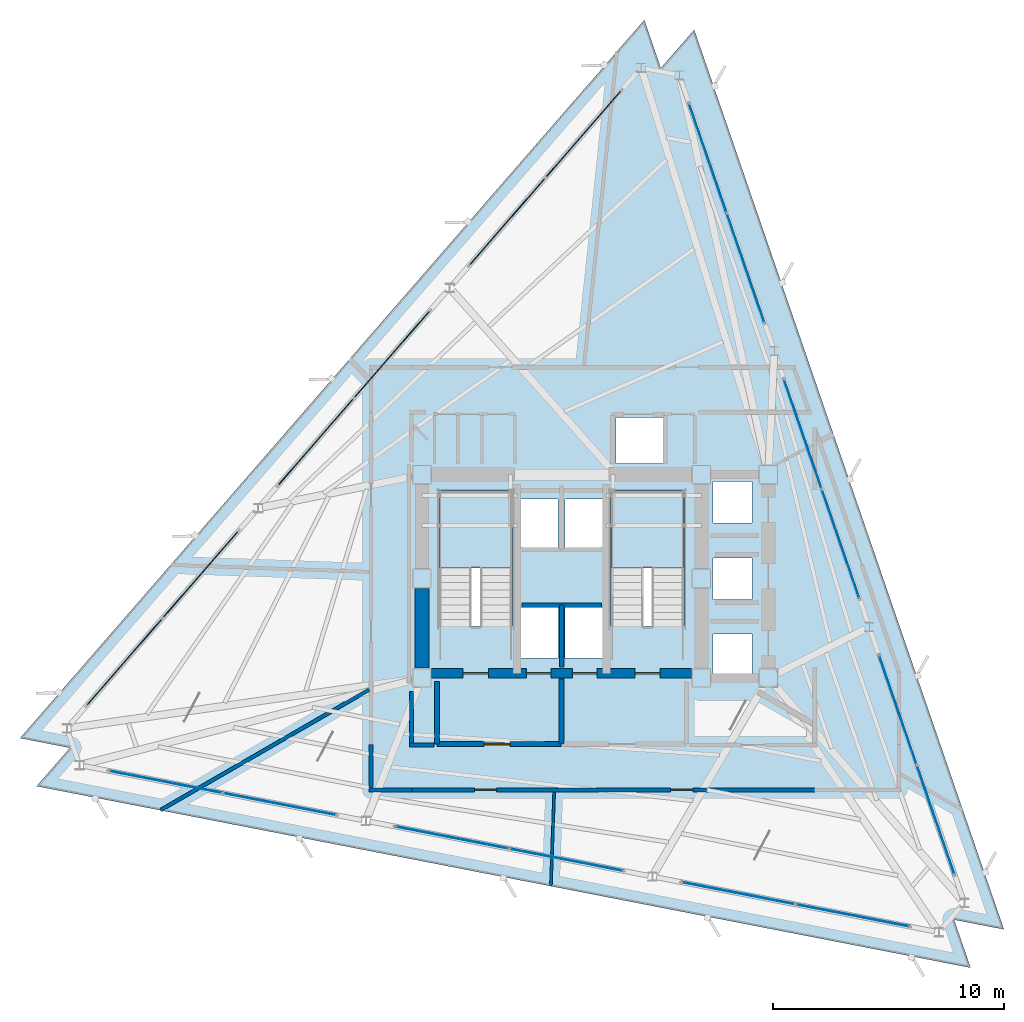
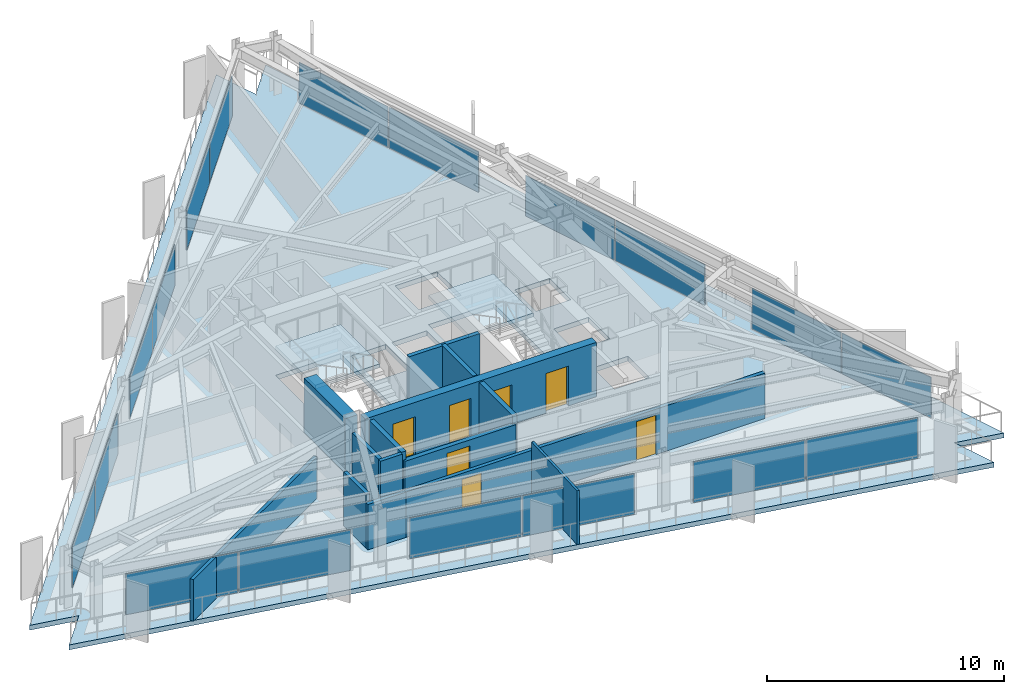
# One storey, part 8 of 13: 18 plates, 14 walls, 7 doors, 3 slabs, 7 openings, 11 elements without a shape of their own.
"""IFC4 building model written with IfcOpenShell, lengths in metres."""

from ifc_helpers import new_model, si_unit, direction, frame, frame_2d, origin, origin_2d, place, context, subcontext, project, spatial, polyline, rectangle, outline, extrude, material, layer, layer_set, type_object, element, fill, aggregate, save


model = new_model("IFC4")

# Units and contexts
model_context = context("Model", 3, precision=1e-05, world=origin(), true_north=direction((0.0, 1.0)))
body_context = subcontext(model_context, "Body", "Model", "MODEL_VIEW")
ifc_project = project(units=[si_unit("LENGTHUNIT", "METRE"), si_unit("AREAUNIT", "SQUARE_METRE"), si_unit("VOLUMEUNIT", "CUBIC_METRE"), si_unit("PLANEANGLEUNIT", "RADIAN"), si_unit("MASSUNIT", "GRAM", prefix="KILO")], contexts=[model_context])

# Site, building, storey
site_placement = place(None, origin())
site = spatial("IfcSite", under=ifc_project, at=site_placement, CompositionType="ELEMENT")
building_placement = place(site_placement, origin())
building = spatial("IfcBuilding", under=site, at=building_placement, Name="Rocaltana Carrier Exchange", CompositionType="ELEMENT")
storey_placement = place(building_placement, frame((0.0, 0.0, 165.43994140625)))
storey = spatial("IfcBuildingStorey", under=building, at=storey_placement, Name="L52", CompositionType="ELEMENT", Elevation=165.43994140625)

# Curtain wall, plates
ifc_material_1 = material(Name="Aluminium 6063-T6", Category="aluminium")
ifc_layer_1 = layer(ifc_material_1, 0.135009765625)
ifc_layer_set_1 = layer_set([ifc_layer_1], Name="Aluminium 6063-T6")
curtain_wall_type = type_object("IfcCurtainWallType", Name="Upper-Mid Acoustic Curtain Wall CW-04", PredefinedType="NOTDEFINED", material=ifc_layer_set_1)
curtain_wall_1_placement = place(storey_placement, origin())
curtain_wall_1 = element("IfcCurtainWall", 1, at=curtain_wall_1_placement, inside=storey, type_object=curtain_wall_type, Name="L52 CW-04 Run CW-L52-F1S1", PredefinedType="NOTDEFINED")
ifc_material_2 = material(Name="Tempered Laminated Glass", Category="glass")
ifc_layer_2 = layer(ifc_material_2, 0.0380859375)
ifc_layer_set_2 = layer_set([ifc_layer_2], Name="Tempered Laminated Glass")
plate_type = type_object("IfcPlateType", Name="CW-04 Stone-Insulated Vision Panel", PredefinedType="CURTAIN_PANEL", material=ifc_layer_set_2)
plate_1_placement = place(storey_placement, frame((16.197021484375, -10.4462890625, 0.065185546875), z_axis=(0.0, 0.0, 1.0), x_axis=(-0.325558788464, 0.945521800517, 0.0)))
plate_1 = element("IfcPlate", 2, at=plate_1_placement, type_object=plate_type, Name="CW-04 panel 1.1", PredefinedType="CURTAIN_PANEL", context=body_context, shape_type="SweptSolid", body=[
    extrude(rectangle(XDim=4.96923828125, YDim=0.0380859375, at=origin_2d()), origin(), (0.0, 0.0, 1.0), 2.087890625),
])
plate_2_placement = place(storey_placement, frame((14.55810546875, -5.686279296875, 0.065185546875), z_axis=(0.0, 0.0, 1.0), x_axis=(-0.325558788464, 0.945521800517, 0.0)))
plate_2 = element("IfcPlate", 3, at=plate_2_placement, type_object=plate_type, Name="CW-04 panel 2.1", PredefinedType="CURTAIN_PANEL", context=body_context, shape_type="SweptSolid", body=[
    extrude(rectangle(XDim=4.96923828125, YDim=0.0380859375, at=origin_2d()), origin(), (0.0, 0.0, 1.0), 2.087890625),
])
aggregate(curtain_wall_1, [plate_1, plate_2])

curtain_wall_2_placement = place(storey_placement, origin())
curtain_wall_2 = element("IfcCurtainWall", 4, at=curtain_wall_2_placement, inside=storey, type_object=curtain_wall_type, Name="L52 CW-04 Run CW-L52-F1S2", PredefinedType="NOTDEFINED")
plate_3_placement = place(storey_placement, frame((12.083984375, 1.498779296875, 0.065185546875), z_axis=(0.0, 0.0, 1.0), x_axis=(-0.32556182622, 0.945520754562, 0.0)))
plate_3 = element("IfcPlate", 5, at=plate_3_placement, type_object=plate_type, Name="CW-04 panel 1.1", PredefinedType="CURTAIN_PANEL", context=body_context, shape_type="SweptSolid", body=[
    extrude(rectangle(XDim=4.96923828125, YDim=0.0380859375, at=origin_2d()), origin(), (0.0, 0.0, 1.0), 2.087890625),
])
plate_4_placement = place(storey_placement, frame((10.445068359375, 6.258544921875, 0.065185546875), z_axis=(0.0, 0.0, 1.0), x_axis=(-0.32556182622, 0.945520754562, 0.0)))
plate_4 = element("IfcPlate", 6, at=plate_4_placement, type_object=plate_type, Name="CW-04 panel 2.1", PredefinedType="CURTAIN_PANEL", context=body_context, shape_type="SweptSolid", body=[
    extrude(rectangle(XDim=4.96923828125, YDim=0.0380859375, at=origin_2d()), origin(), (0.0, 0.0, 1.0), 2.087890625),
])
aggregate(curtain_wall_2, [plate_3, plate_4])

curtain_wall_3_placement = place(storey_placement, origin())
curtain_wall_3 = element("IfcCurtainWall", 7, at=curtain_wall_3_placement, inside=storey, type_object=curtain_wall_type, Name="L52 CW-04 Run CW-L52-F1S3", PredefinedType="NOTDEFINED")
plate_5_placement = place(storey_placement, frame((7.970947265625, 13.44384765625, 0.065185546875), z_axis=(0.0, 0.0, 1.0), x_axis=(-0.325558788464, 0.945521800517, 0.0)))
plate_5 = element("IfcPlate", 8, at=plate_5_placement, type_object=plate_type, Name="CW-04 panel 1.1", PredefinedType="CURTAIN_PANEL", context=body_context, shape_type="SweptSolid", body=[
    extrude(rectangle(XDim=4.96923828125, YDim=0.0380859375, at=origin_2d()), origin(), (0.0, 0.0, 1.0), 2.087890625),
])
plate_6_placement = place(storey_placement, frame((6.33203125, 18.20361328125, 0.065185546875), z_axis=(0.0, 0.0, 1.0), x_axis=(-0.325558788464, 0.945521800517, 0.0)))
plate_6 = element("IfcPlate", 9, at=plate_6_placement, type_object=plate_type, Name="CW-04 panel 2.1", PredefinedType="CURTAIN_PANEL", context=body_context, shape_type="SweptSolid", body=[
    extrude(rectangle(XDim=4.96923828125, YDim=0.0380859375, at=origin_2d()), origin(), (0.0, 0.0, 1.0), 2.087890625),
])
aggregate(curtain_wall_3, [plate_5, plate_6])

curtain_wall_4_placement = place(storey_placement, origin())
curtain_wall_4 = element("IfcCurtainWall", 10, at=curtain_wall_4_placement, inside=storey, type_object=curtain_wall_type, Name="L52 CW-04 Run CW-L52-F2S1", PredefinedType="NOTDEFINED")
plate_7_placement = place(storey_placement, frame((0.9482421875, 19.250244140625, 0.065185546875), z_axis=(0.0, 0.0, 1.0), x_axis=(-0.656056545375, -0.75471173919, 0.0)))
plate_7 = element("IfcPlate", 11, at=plate_7_placement, type_object=plate_type, Name="CW-04 panel 1.1", PredefinedType="CURTAIN_PANEL", context=body_context, shape_type="SweptSolid", body=[
    extrude(rectangle(XDim=4.96923828125, YDim=0.0380859375, at=origin_2d()), origin(), (0.0, 0.0, 1.0), 2.087890625),
])
plate_8_placement = place(storey_placement, frame((-2.3544921875, 15.450927734375, 0.065185546875), z_axis=(0.0, 0.0, 1.0), x_axis=(-0.656056545375, -0.75471173919, 0.0)))
plate_8 = element("IfcPlate", 12, at=plate_8_placement, type_object=plate_type, Name="CW-04 panel 2.1", PredefinedType="CURTAIN_PANEL", context=body_context, shape_type="SweptSolid", body=[
    extrude(rectangle(XDim=4.96923828125, YDim=0.0380859375, at=origin_2d()), origin(), (0.0, 0.0, 1.0), 2.087890625),
])
aggregate(curtain_wall_4, [plate_7, plate_8])

curtain_wall_5_placement = place(storey_placement, origin())
curtain_wall_5 = element("IfcCurtainWall", 13, at=curtain_wall_5_placement, inside=storey, type_object=curtain_wall_type, Name="L52 CW-04 Run CW-L52-F2S2", PredefinedType="NOTDEFINED")
plate_9_placement = place(storey_placement, frame((-7.33984375, 9.7158203125, 0.065185546875), z_axis=(0.0, 0.0, 1.0), x_axis=(-0.656056545375, -0.75471173919, 0.0)))
plate_9 = element("IfcPlate", 14, at=plate_9_placement, type_object=plate_type, Name="CW-04 panel 1.1", PredefinedType="CURTAIN_PANEL", context=body_context, shape_type="SweptSolid", body=[
    extrude(rectangle(XDim=4.96923828125, YDim=0.0380859375, at=origin_2d()), origin(), (0.0, 0.0, 1.0), 2.087890625),
])
plate_10_placement = place(storey_placement, frame((-10.642578125, 5.91650390625, 0.065185546875), z_axis=(0.0, 0.0, 1.0), x_axis=(-0.656056545375, -0.75471173919, 0.0)))
plate_10 = element("IfcPlate", 15, at=plate_10_placement, type_object=plate_type, Name="CW-04 panel 2.1", PredefinedType="CURTAIN_PANEL", context=body_context, shape_type="SweptSolid", body=[
    extrude(rectangle(XDim=4.96923828125, YDim=0.0380859375, at=origin_2d()), origin(), (0.0, 0.0, 1.0), 2.087890625),
])
aggregate(curtain_wall_5, [plate_9, plate_10])

curtain_wall_6_placement = place(storey_placement, origin())
curtain_wall_6 = element("IfcCurtainWall", 16, at=curtain_wall_6_placement, inside=storey, type_object=curtain_wall_type, Name="L52 CW-04 Run CW-L52-F2S3", PredefinedType="NOTDEFINED")
plate_11_placement = place(storey_placement, frame((-15.628173828125, 0.18115234375, 0.065185546875), z_axis=(0.0, 0.0, 1.0), x_axis=(-0.656056545375, -0.75471173919, 0.0)))
plate_11 = element("IfcPlate", 17, at=plate_11_placement, type_object=plate_type, Name="CW-04 panel 1.1", PredefinedType="CURTAIN_PANEL", context=body_context, shape_type="SweptSolid", body=[
    extrude(rectangle(XDim=4.96923828125, YDim=0.0380859375, at=origin_2d()), origin(), (0.0, 0.0, 1.0), 2.087890625),
])
plate_12_placement = place(storey_placement, frame((-18.930908203125, -3.6181640625, 0.065185546875), z_axis=(0.0, 0.0, 1.0), x_axis=(-0.656056545375, -0.75471173919, 0.0)))
plate_12 = element("IfcPlate", 18, at=plate_12_placement, type_object=plate_type, Name="CW-04 panel 2.1", PredefinedType="CURTAIN_PANEL", context=body_context, shape_type="SweptSolid", body=[
    extrude(rectangle(XDim=4.96923828125, YDim=0.0380859375, at=origin_2d()), origin(), (0.0, 0.0, 1.0), 2.087890625),
])
aggregate(curtain_wall_6, [plate_11, plate_12])

curtain_wall_7_placement = place(storey_placement, origin())
curtain_wall_7 = element("IfcCurtainWall", 19, at=curtain_wall_7_placement, inside=storey, type_object=curtain_wall_type, Name="L52 CW-04 Run CW-L52-F3S1", PredefinedType="NOTDEFINED")
plate_13_placement = place(storey_placement, frame((-17.145263671875, -8.803955078125, 0.065185546875), z_axis=(0.0, 0.0, 1.0), x_axis=(0.981628278569, -0.190803361378, 0.0)))
plate_13 = element("IfcPlate", 20, at=plate_13_placement, type_object=plate_type, Name="CW-04 panel 1.1", PredefinedType="CURTAIN_PANEL", context=body_context, shape_type="SweptSolid", body=[
    extrude(rectangle(XDim=4.96923828125, YDim=0.0380859375, at=origin_2d()), origin(), (0.0, 0.0, 1.0), 2.087890625),
])
plate_14_placement = place(storey_placement, frame((-12.20361328125, -9.764404296875, 0.065185546875), z_axis=(0.0, 0.0, 1.0), x_axis=(0.981628278569, -0.190803361378, 0.0)))
plate_14 = element("IfcPlate", 21, at=plate_14_placement, type_object=plate_type, Name="CW-04 panel 2.1", PredefinedType="CURTAIN_PANEL", context=body_context, shape_type="SweptSolid", body=[
    extrude(rectangle(XDim=4.96923828125, YDim=0.0380859375, at=origin_2d()), origin(), (0.0, 0.0, 1.0), 2.087890625),
])
aggregate(curtain_wall_7, [plate_13, plate_14])

curtain_wall_8_placement = place(storey_placement, origin())
curtain_wall_8 = element("IfcCurtainWall", 22, at=curtain_wall_8_placement, inside=storey, type_object=curtain_wall_type, Name="L52 CW-04 Run CW-L52-F3S2", PredefinedType="NOTDEFINED")
plate_15_placement = place(storey_placement, frame((-4.744140625, -11.21435546875, 0.065185546875), z_axis=(0.0, 0.0, 1.0), x_axis=(0.981626070913, -0.190814718784, 0.0)))
plate_15 = element("IfcPlate", 23, at=plate_15_placement, type_object=plate_type, Name="CW-04 panel 1.1", PredefinedType="CURTAIN_PANEL", context=body_context, shape_type="SweptSolid", body=[
    extrude(rectangle(XDim=4.96923828125, YDim=0.0380859375, at=origin_2d()), origin(), (0.0, 0.0, 1.0), 2.087890625),
])
plate_16_placement = place(storey_placement, frame((0.19775390625, -12.175048828125, 0.065185546875), z_axis=(0.0, 0.0, 1.0), x_axis=(0.981626070913, -0.190814718784, 0.0)))
plate_16 = element("IfcPlate", 24, at=plate_16_placement, type_object=plate_type, Name="CW-04 panel 2.1", PredefinedType="CURTAIN_PANEL", context=body_context, shape_type="SweptSolid", body=[
    extrude(rectangle(XDim=4.96923828125, YDim=0.0380859375, at=origin_2d()), origin(), (0.0, 0.0, 1.0), 2.087890625),
])
aggregate(curtain_wall_8, [plate_15, plate_16])

curtain_wall_9_placement = place(storey_placement, origin())
curtain_wall_9 = element("IfcCurtainWall", 25, at=curtain_wall_9_placement, inside=storey, type_object=curtain_wall_type, Name="L52 CW-04 Run CW-L52-F3S3", PredefinedType="NOTDEFINED")
plate_17_placement = place(storey_placement, frame((7.6572265625, -13.625, 0.065185546875), z_axis=(0.0, 0.0, 1.0), x_axis=(0.981627919301, -0.190805209699, 0.0)))
plate_17 = element("IfcPlate", 26, at=plate_17_placement, type_object=plate_type, Name="CW-04 panel 1.1", PredefinedType="CURTAIN_PANEL", context=body_context, shape_type="SweptSolid", body=[
    extrude(rectangle(XDim=4.96923828125, YDim=0.0380859375, at=origin_2d()), origin(), (0.0, 0.0, 1.0), 2.087890625),
])
plate_18_placement = place(storey_placement, frame((12.598876953125, -14.58544921875, 0.065185546875), z_axis=(0.0, 0.0, 1.0), x_axis=(0.981627919301, -0.190805209699, 0.0)))
plate_18 = element("IfcPlate", 27, at=plate_18_placement, type_object=plate_type, Name="CW-04 panel 2.1", PredefinedType="CURTAIN_PANEL", context=body_context, shape_type="SweptSolid", body=[
    extrude(rectangle(XDim=4.96923828125, YDim=0.0380859375, at=origin_2d()), origin(), (0.0, 0.0, 1.0), 2.087890625),
])
aggregate(curtain_wall_9, [plate_17, plate_18])

# Slab
ifc_material_3 = material(Name="Concrete C50/60", Category="concrete")
ifc_layer_3 = layer(ifc_material_3, 0.25)
ifc_layer_set_3 = layer_set([ifc_layer_3], Name="Concrete C50/60")
slab_type_1 = type_object("IfcSlabType", Name="Mid-Zone Tower Slab 250", PredefinedType="FLOOR", material=ifc_layer_set_3)
slab_1_placement = place(storey_placement, frame((0.0, 0.0, -0.25)))
element("IfcSlab", 28, at=slab_1_placement, inside=storey, type_object=slab_type_1, Name="L52 Structural Floor Slab", PredefinedType="FLOOR", context=body_context, shape_type="SweptSolid", body=[
    extrude(outline(polyline([(17.709716796875, -16.852294921875), (16.993408203125, -14.772216796875), (19.153076171875, -15.19189453125), (5.73974609375, 23.76318359375), (4.29638671875, 22.10302734375), (3.580078125, 24.18310546875), (-23.449462890625, -6.910888671875), (-21.289794921875, -7.330810546875), (-22.7333984375, -8.9912109375), (17.709716796875, -16.852294921875)]), holes=[polyline([(-5.300048828125, -2.06005859375), (-2.139892578125, -2.06005859375), (-2.139892578125, 3.800048828125), (-5.300048828125, 3.800048828125), (-5.300048828125, -2.06005859375)]), polyline([(2.139892578125, -2.06005859375), (5.300048828125, -2.06005859375), (5.300048828125, 3.800048828125), (2.139892578125, 3.800048828125), (2.139892578125, -2.06005859375)]), polyline([(-1.85009765625, -3.449951171875), (-0.14990234375, -3.449951171875), (-0.14990234375, -1.25), (-1.85009765625, -1.25), (-1.85009765625, -3.449951171875)]), polyline([(0.14990234375, -3.449951171875), (1.85009765625, -3.449951171875), (1.85009765625, -1.25), (0.14990234375, -1.25), (0.14990234375, -3.449951171875)]), polyline([(2.35009765625, 4.97998046875), (4.39990234375, 4.97998046875), (4.39990234375, 6.97998046875), (2.35009765625, 6.97998046875), (2.35009765625, 4.97998046875)]), polyline([(-1.85009765625, 1.35009765625), (-0.14990234375, 1.35009765625), (-0.14990234375, 3.449951171875), (-1.85009765625, 3.449951171875), (-1.85009765625, 1.35009765625)]), polyline([(0.14990234375, 1.35009765625), (1.85009765625, 1.35009765625), (1.85009765625, 3.449951171875), (0.14990234375, 3.449951171875), (0.14990234375, 1.35009765625)]), polyline([(6.550048828125, -4.199951171875), (8.25, -4.199951171875), (8.25, -2.39990234375), (6.550048828125, -2.39990234375), (6.550048828125, -4.199951171875)]), polyline([(6.550048828125, -0.89990234375), (8.25, -0.89990234375), (8.25, 0.89990234375), (6.550048828125, 0.89990234375), (6.550048828125, -0.89990234375)]), polyline([(6.550048828125, 2.39990234375), (8.25, 2.39990234375), (8.25, 4.199951171875), (6.550048828125, 4.199951171875), (6.550048828125, 2.39990234375)])]), origin(), (0.0, 0.0, 1.0), 0.25),
])

# Stair, slab
ifc_material_4 = material(Name="Precast concrete C45/55", Category="concrete")
stair_type = type_object("IfcStairType", Name="Standard Dog-Leg Stair 160", PredefinedType="HALF_TURN_STAIR", material=ifc_material_4)
stair_1_placement = place(storey_placement, origin())
stair_1 = element("IfcStair", 29, at=stair_1_placement, inside=storey, type_object=stair_type, Name="L52 Core West Exit Stair ST-1", PredefinedType="HALF_TURN_STAIR")
ifc_material_5 = material(Name="Precast concrete C45/55", Category="concrete")
ifc_layer_4 = layer(ifc_material_5, 0.199951171875)
ifc_layer_set_4 = layer_set([ifc_layer_4], Name="Precast concrete C45/55")
slab_type_2 = type_object("IfcSlabType", Name="Precast Stair Half-Landing 200", PredefinedType="LANDING", material=ifc_layer_set_4)
slab_2_placement = place(storey_placement, frame((0.0, 0.0, 1.320068359375)))
slab_2 = element("IfcSlab", 30, at=slab_2_placement, type_object=slab_type_2, Name="ST-1 landing 1", PredefinedType="LANDING", context=body_context, shape_type="SweptSolid", body=[
    extrude(outline(polyline([(-2.139892578125, 0.4599609375), (-2.139892578125, 3.800048828125), (-5.300048828125, 3.800048828125), (-5.300048828125, 0.4599609375), (-2.139892578125, 0.4599609375)])), origin(), (0.0, 0.0, 1.0), 0.199951171875),
])
aggregate(stair_1, [slab_2])

stair_2_placement = place(storey_placement, origin())
stair_2 = element("IfcStair", 31, at=stair_2_placement, inside=storey, type_object=stair_type, Name="L52 Core East Exit Stair ST-2", PredefinedType="HALF_TURN_STAIR")
slab_3_placement = place(storey_placement, frame((0.0, 0.0, 1.320068359375)))
slab_3 = element("IfcSlab", 32, at=slab_3_placement, type_object=slab_type_2, Name="ST-2 landing 1", PredefinedType="LANDING", context=body_context, shape_type="SweptSolid", body=[
    extrude(outline(polyline([(5.300048828125, 0.4599609375), (5.300048828125, 3.800048828125), (2.139892578125, 3.800048828125), (2.139892578125, 0.4599609375), (5.300048828125, 0.4599609375)])), origin(), (0.0, 0.0, 1.0), 0.199951171875),
])
aggregate(stair_2, [slab_3])

# Wall
ifc_material_6 = material(Name="Double Acoustic Gypsum Partition", Category="gypsum")
ifc_layer_5 = layer(ifc_material_6, 0.159912109375)
ifc_layer_set_5 = layer_set([ifc_layer_5], Name="Double Acoustic Gypsum Partition")
wall_type_1 = type_object("IfcWallType", Name="Acoustic Studio Partition 160 EI60", PredefinedType="PARTITIONING", material=ifc_layer_set_5)
wall_1_placement = place(storey_placement, frame((-8.330078125, -4.809326171875, 0.0), z_axis=(0.0, 0.0, 1.0), x_axis=(-0.866024997974, -0.500000702884, 0.0)))
element("IfcWall", 33, at=wall_1_placement, inside=storey, type_object=wall_type_1, Name="L52 Suite Divider Wall D1", PredefinedType="PARTITIONING", context=body_context, shape_type="SweptSolid", body=[
    extrude(rectangle(XDim=10.4306640625, YDim=0.159912109375, at=frame_2d((5.21533203125, 0.0))), origin(), (0.0, 0.0, 1.0), 2.132080078125),
])

# Wall, openings, doors
ifc_material_7 = material(Name="Concrete C50/60", Category="concrete")
ifc_layer_6 = layer(ifc_material_7, 0.39990234375)
ifc_layer_set_6 = layer_set([ifc_layer_6], Name="Concrete C50/60")
wall_type_2 = type_object("IfcWallType", Name="Core Internal Shear Wall 400", PredefinedType="SHEAR", material=ifc_layer_set_6)
wall_2_placement = place(storey_placement, frame((-5.625, -4.10009765625, 0.0), z_axis=(0.0, 0.0, 1.0), x_axis=(1.0, 0.0, 0.0)))
wall_2 = element("IfcWall", 34, at=wall_2_placement, inside=storey, type_object=wall_type_2, Name="L52 Core Shear Wall CW-S", PredefinedType="SHEAR", context=body_context, shape_type="SweptSolid", body=[
    extrude(rectangle(XDim=11.25, YDim=0.39990234375, at=frame_2d((5.625, 0.0))), origin(), (0.0, 0.0, 1.0), 2.7880859375),
])
opening_1_placement = place(wall_2_placement, frame((1.35498046875, 0.0, 0.0)))
opening_1 = element("IfcOpeningElement", 35, at=opening_1_placement, cuts=wall_2, Name="Opening D-ST110", PredefinedType="OPENING", context=body_context, shape_type="SweptSolid", body=[
    extrude(rectangle(XDim=1.10009765625, YDim=2.0400390625, at=frame_2d((0.550048828125, 1.02001953125))), frame((0.0, 0.2099609375, 0.0), z_axis=(0.0, -1.0, 0.0), x_axis=(1.0, 0.0, 0.0)), (0.0, 0.0, 1.0), 0.419921875),
])
opening_2_placement = place(wall_2_placement, frame((8.794921875, 0.0, 0.0)))
opening_2 = element("IfcOpeningElement", 36, at=opening_2_placement, cuts=wall_2, Name="Opening D-ST110", PredefinedType="OPENING", context=body_context, shape_type="SweptSolid", body=[
    extrude(rectangle(XDim=1.10009765625, YDim=2.0400390625, at=frame_2d((0.550048828125, 1.02001953125))), frame((0.0, 0.2099609375, 0.0), z_axis=(0.0, -1.0, 0.0), x_axis=(1.0, 0.0, 0.0)), (0.0, 0.0, 1.0), 0.419921875),
])
opening_3_placement = place(wall_2_placement, frame((4.094970703125, 0.0, 0.0)))
opening_3 = element("IfcOpeningElement", 37, at=opening_3_placement, cuts=wall_2, Name="Opening LD-110", PredefinedType="OPENING", context=body_context, shape_type="SweptSolid", body=[
    extrude(rectangle(XDim=1.06005859375, YDim=2.0400390625, at=frame_2d((0.530029296875, 1.02001953125))), frame((0.0, 0.2099609375, 0.0), z_axis=(0.0, -1.0, 0.0), x_axis=(1.0, 0.0, 0.0)), (0.0, 0.0, 1.0), 0.419921875),
])
opening_4_placement = place(wall_2_placement, frame((6.094970703125, 0.0, 0.0)))
opening_4 = element("IfcOpeningElement", 38, at=opening_4_placement, cuts=wall_2, Name="Opening LD-110", PredefinedType="OPENING", context=body_context, shape_type="SweptSolid", body=[
    extrude(rectangle(XDim=1.06005859375, YDim=2.0400390625, at=frame_2d((0.530029296875, 1.02001953125))), frame((0.0, 0.2099609375, 0.0), z_axis=(0.0, -1.0, 0.0), x_axis=(1.0, 0.0, 0.0)), (0.0, 0.0, 1.0), 0.419921875),
])
ifc_material_8 = material(Name="Hollow Metal Fire Door Assembly", Category="steel")
door_type_1 = type_object("IfcDoorType", Name="Exit Stair Fire Door 1100x2040 FD90S", OperationType="NOTDEFINED", PredefinedType="DOOR", material=ifc_material_8)
door_1_placement = place(opening_1_placement, origin())
door_1 = element("IfcDoor", 39, at=door_1_placement, inside=storey, type_object=door_type_1, Name="L52 Exit Stair ST1 Fire Door", OperationType="SINGLE_SWING_RIGHT", OverallHeight=2.0400390625, OverallWidth=1.10009765625, PredefinedType="DOOR", context=body_context, shape_type="SweptSolid", body=[
    extrude(rectangle(XDim=1.10009765625, YDim=2.0400390625, at=frame_2d((0.550048828125, 1.02001953125))), frame((0.0, 0.02490234375, 0.0), z_axis=(0.0, -1.0, 0.0), x_axis=(1.0, 0.0, 0.0)), (0.0, 0.0, 1.0), 0.050048828125),
])
fill(opening_1, door_1)
door_2_placement = place(opening_2_placement, origin())
door_2 = element("IfcDoor", 40, at=door_2_placement, inside=storey, type_object=door_type_1, Name="L52 Exit Stair ST2 Fire Door", OperationType="SINGLE_SWING_LEFT", OverallHeight=2.0400390625, OverallWidth=1.10009765625, PredefinedType="DOOR", context=body_context, shape_type="SweptSolid", body=[
    extrude(rectangle(XDim=1.10009765625, YDim=2.0400390625, at=frame_2d((0.550048828125, 1.02001953125))), frame((0.0, 0.02490234375, 0.0), z_axis=(0.0, -1.0, 0.0), x_axis=(1.0, 0.0, 0.0)), (0.0, 0.0, 1.0), 0.050048828125),
])
fill(opening_2, door_2)
ifc_material_9 = material(Name="Brushed Stainless Sliding Door Leaf", Category="steel")
door_type_2 = type_object("IfcDoorType", Name="Lift Landing Sliding Door 1060x2040", OperationType="NOTDEFINED", PredefinedType="DOOR", material=ifc_material_9)
door_3_placement = place(opening_3_placement, origin())
door_3 = element("IfcDoor", 41, at=door_3_placement, inside=storey, type_object=door_type_2, Name="L52 Firefighting Lift FFL1 Landing Door", OperationType="SLIDING_TO_LEFT", OverallHeight=2.0400390625, OverallWidth=1.06005859375, PredefinedType="DOOR", context=body_context, shape_type="SweptSolid", body=[
    extrude(rectangle(XDim=1.06005859375, YDim=2.0400390625, at=frame_2d((0.530029296875, 1.02001953125))), frame((0.0, 0.02490234375, 0.0), z_axis=(0.0, -1.0, 0.0), x_axis=(1.0, 0.0, 0.0)), (0.0, 0.0, 1.0), 0.050048828125),
])
fill(opening_3, door_3)
door_4_placement = place(opening_4_placement, origin())
door_4 = element("IfcDoor", 42, at=door_4_placement, inside=storey, type_object=door_type_2, Name="L52 Firefighting Lift FFL2 Landing Door", OperationType="SLIDING_TO_RIGHT", OverallHeight=2.0400390625, OverallWidth=1.06005859375, PredefinedType="DOOR", context=body_context, shape_type="SweptSolid", body=[
    extrude(rectangle(XDim=1.06005859375, YDim=2.0400390625, at=frame_2d((0.530029296875, 1.02001953125))), frame((0.0, 0.02490234375, 0.0), z_axis=(0.0, -1.0, 0.0), x_axis=(1.0, 0.0, 0.0)), (0.0, 0.0, 1.0), 0.050048828125),
])
fill(opening_4, door_4)

# Walls
ifc_material_10 = material(Name="Concrete C50/60", Category="concrete")
ifc_layer_7 = layer(ifc_material_10, 0.60009765625)
ifc_layer_set_7 = layer_set([ifc_layer_7], Name="Concrete C50/60")
wall_type_3 = type_object("IfcWallType", Name="Core Shear Wall 600", PredefinedType="SHEAR", material=ifc_layer_set_7)
wall_3_placement = place(storey_placement, frame((-6.050048828125, -3.875, 0.0), z_axis=(0.0, 0.0, 1.0), x_axis=(0.0, 1.0, 0.0)))
element("IfcWall", 43, at=wall_3_placement, inside=storey, type_object=wall_type_3, Name="L52 Core Shear Wall CW-WS", PredefinedType="SHEAR", context=body_context, shape_type="SweptSolid", body=[
    extrude(rectangle(XDim=3.449951171875, YDim=0.60009765625, at=frame_2d((1.72509765625, 0.0))), origin(), (0.0, 0.0, 1.0), 2.7880859375),
])
ifc_material_11 = material(Name="Gypsum & Steel Stud Partition", Category="steel")
ifc_layer_8 = layer(ifc_material_11, 0.179931640625)
ifc_layer_set_8 = layer_set([ifc_layer_8], Name="Gypsum & Steel Stud Partition")
wall_type_4 = type_object("IfcWallType", Name="Corridor Fire Partition 180 EI60", PredefinedType="PARTITIONING", material=ifc_layer_set_8)
wall_4_placement = place(storey_placement, frame((-6.47998046875, -9.14990234375, 0.0), z_axis=(0.0, 0.0, 1.0), x_axis=(-1.0, 0.0, 0.0)))
element("IfcWall", 44, at=wall_4_placement, inside=storey, type_object=wall_type_4, Name="L52 Corridor Partition 1", PredefinedType="PARTITIONING", context=body_context, shape_type="SweptSolid", body=[
    extrude(rectangle(XDim=1.860107421875, YDim=0.179931640625, at=frame_2d((0.93017578125, 0.0))), origin(), (0.0, 0.0, 1.0), 2.330078125),
])
wall_5_placement = place(storey_placement, frame((-8.25, -9.06005859375, 0.0), z_axis=(0.0, 0.0, 1.0), x_axis=(0.0, 1.0, 0.0)))
element("IfcWall", 45, at=wall_5_placement, inside=storey, type_object=wall_type_4, Name="L52 Corridor Partition 2", PredefinedType="PARTITIONING", context=body_context, shape_type="SweptSolid", body=[
    extrude(rectangle(XDim=1.880126953125, YDim=0.179931640625, at=frame_2d((0.93994140625, 0.0))), origin(), (0.0, 0.0, 1.0), 2.762939453125),
])
wall_6_placement = place(storey_placement, frame((-6.5, -4.8798828125, 0.0), z_axis=(0.0, 0.0, 1.0), x_axis=(0.0, -1.0, 0.0)))
element("IfcWall", 46, at=wall_6_placement, inside=storey, type_object=wall_type_4, Name="L52 Corridor Partition 12", PredefinedType="PARTITIONING", context=body_context, shape_type="SweptSolid", body=[
    extrude(rectangle(XDim=2.230224609375, YDim=0.179931640625, at=frame_2d((1.115234375, 0.0))), origin(), (0.0, 0.0, 1.0), 2.762939453125),
])
wall_7_placement = place(storey_placement, frame((-6.590087890625, -7.199951171875, 0.0), z_axis=(0.0, 0.0, 1.0), x_axis=(1.0, 0.0, 0.0)))
element("IfcWall", 47, at=wall_7_placement, inside=storey, type_object=wall_type_4, Name="L52 Corridor Partition 13", PredefinedType="PARTITIONING", context=body_context, shape_type="SweptSolid", body=[
    extrude(rectangle(XDim=1.06005859375, YDim=0.179931640625, at=frame_2d((0.530029296875, 0.0))), origin(), (0.0, 0.0, 1.0), 2.762939453125),
])

# Wall, openings, doors
wall_8_placement = place(storey_placement, frame((10.97998046875, -9.14990234375, 0.0), z_axis=(0.0, 0.0, 1.0), x_axis=(-1.0, 0.0, 0.0)))
wall_8 = element("IfcWall", 48, at=wall_8_placement, inside=storey, type_object=wall_type_4, Name="L52 Corridor Partition 21", PredefinedType="PARTITIONING", context=body_context, shape_type="SweptSolid", body=[
    extrude(rectangle(XDim=17.5, YDim=0.179931640625, at=frame_2d((8.75, 0.0))), origin(), (0.0, 0.0, 1.0), 2.330078125),
])
opening_5_placement = place(wall_8_placement, frame((13.791015625, 0.0, 0.0)))
opening_5 = element("IfcOpeningElement", 49, at=opening_5_placement, cuts=wall_8, Name="Opening D-RM098", PredefinedType="OPENING", context=body_context, shape_type="SweptSolid", body=[
    extrude(rectangle(XDim=0.9599609375, YDim=2.02001953125, at=frame_2d((0.47998046875, 1.010009765625))), frame((0.0, 0.099853515625, 0.0), z_axis=(0.0, -1.0, 0.0), x_axis=(1.0, 0.0, 0.0)), (0.0, 0.0, 1.0), 0.199951171875),
])
opening_6_placement = place(wall_8_placement, frame((5.301513671875, 0.0, 0.0)))
opening_6 = element("IfcOpeningElement", 50, at=opening_6_placement, cuts=wall_8, Name="Opening D-RM098", PredefinedType="OPENING", context=body_context, shape_type="SweptSolid", body=[
    extrude(rectangle(XDim=0.9599609375, YDim=2.02001953125, at=frame_2d((0.47998046875, 1.010009765625))), frame((0.0, 0.099853515625, 0.0), z_axis=(0.0, -1.0, 0.0), x_axis=(1.0, 0.0, 0.0)), (0.0, 0.0, 1.0), 0.199951171875),
])
ifc_material_12 = material(Name="Engineered Hardwood Timber", Category="wood")
door_type_3 = type_object("IfcDoorType", Name="Workspace Single Door 960x2020", OperationType="NOTDEFINED", PredefinedType="DOOR", material=ifc_material_12)
door_5_placement = place(opening_5_placement, origin())
door_5 = element("IfcDoor", 51, at=door_5_placement, inside=storey, type_object=door_type_3, Name="L52 Quiet Focus Lounge Entrance Door", OperationType="SINGLE_SWING_LEFT", OverallHeight=2.02001953125, OverallWidth=0.9599609375, PredefinedType="DOOR", context=body_context, shape_type="SweptSolid", body=[
    extrude(rectangle(XDim=0.9599609375, YDim=2.02001953125, at=frame_2d((0.47998046875, 1.010009765625))), frame((0.0, 0.02490234375, 0.0), z_axis=(0.0, -1.0, 0.0), x_axis=(1.0, 0.0, 0.0)), (0.0, 0.0, 1.0), 0.050048828125),
])
fill(opening_5, door_5)
door_6_placement = place(opening_6_placement, origin())
door_6 = element("IfcDoor", 52, at=door_6_placement, inside=storey, type_object=door_type_3, Name="L52 Cloud Architecture Office Entrance Door", OperationType="SINGLE_SWING_RIGHT", OverallHeight=2.02001953125, OverallWidth=0.9599609375, PredefinedType="DOOR", context=body_context, shape_type="SweptSolid", body=[
    extrude(rectangle(XDim=0.9599609375, YDim=2.02001953125, at=frame_2d((0.47998046875, 1.010009765625))), frame((0.0, 0.02490234375, 0.0), z_axis=(0.0, -1.0, 0.0), x_axis=(1.0, 0.0, 0.0)), (0.0, 0.0, 1.0), 0.050048828125),
])
fill(opening_6, door_6)

# Walls
ifc_material_13 = material(Name="Aluminium 6063-T6 & Acoustic Glass", Category="aluminium")
ifc_layer_9 = layer(ifc_material_13, 0.114990234375)
ifc_layer_set_9 = layer_set([ifc_layer_9], Name="Aluminium 6063-T6 & Acoustic Glass")
wall_type_5 = type_object("IfcWallType", Name="Demountable Glazed Lab Partition 115", PredefinedType="MOVABLE", material=ifc_layer_set_9)
wall_9_placement = place(storey_placement, frame((-0.322265625, -9.22998046875, 0.0), z_axis=(0.0, 0.0, 1.0), x_axis=(-0.034927807623, -0.999389837978, 0.0)))
element("IfcWall", 53, at=wall_9_placement, inside=storey, type_object=wall_type_5, Name="L52 Suite Divider Wall D2", PredefinedType="MOVABLE", context=body_context, shape_type="SweptSolid", body=[
    extrude(rectangle(XDim=4.08203125, YDim=0.114990234375, at=frame_2d((2.041015625, 0.0))), origin(), (0.0, 0.0, 1.0), 2.762939453125),
])
ifc_material_14 = material(Name="Autoclaved Aerated Concrete C30/37", Category="concrete")
ifc_layer_10 = layer(ifc_material_14, 0.219970703125)
ifc_layer_set_10 = layer_set([ifc_layer_10], Name="Autoclaved Aerated Concrete C30/37")
wall_type_6 = type_object("IfcWallType", Name="Firefighting Lobby Wall 220 EI120", PredefinedType="PARTITIONING", material=ifc_layer_set_10)
wall_10_placement = place(storey_placement, frame((-5.39990234375, -7.159912109375, 0.0), z_axis=(0.0, 0.0, 1.0), x_axis=(0.0, 1.0, 0.0)))
element("IfcWall", 54, at=wall_10_placement, inside=storey, type_object=wall_type_6, Name="L52 FFL Lobby 1 West Wall", PredefinedType="PARTITIONING", context=body_context, shape_type="SweptSolid", body=[
    extrude(rectangle(XDim=2.7099609375, YDim=0.219970703125, at=frame_2d((1.35498046875, 0.0))), origin(), (0.0, 0.0, 1.0), 2.762939453125),
])
wall_11_placement = place(storey_placement, frame((0.0, -7.159912109375, 0.0), z_axis=(0.0, 0.0, 1.0), x_axis=(0.0, 1.0, 0.0)))
element("IfcWall", 55, at=wall_11_placement, inside=storey, type_object=wall_type_6, Name="L52 FFL Lobby Centre Wall", PredefinedType="PARTITIONING", context=body_context, shape_type="SweptSolid", body=[
    extrude(rectangle(XDim=2.809814453125, YDim=0.219970703125, at=frame_2d((1.40478515625, 0.0))), origin(), (0.0, 0.0, 1.0), 2.762939453125),
])

# Wall, opening, door
wall_12_placement = place(storey_placement, frame((-5.39990234375, -7.159912109375, 0.0), z_axis=(0.0, 0.0, 1.0), x_axis=(1.0, 0.0, 0.0)))
wall_12 = element("IfcWall", 56, at=wall_12_placement, inside=storey, type_object=wall_type_6, Name="L52 FFL Lobby 1 South Wall", PredefinedType="PARTITIONING", context=body_context, shape_type="SweptSolid", body=[
    extrude(rectangle(XDim=5.39990234375, YDim=0.219970703125, at=frame_2d((2.699951171875, 0.0))), origin(), (0.0, 0.0, 1.0), 2.330078125),
])
opening_7_placement = place(wall_12_placement, frame((2.050048828125, 0.0, 0.0)))
opening_7 = element("IfcOpeningElement", 57, at=opening_7_placement, cuts=wall_12, Name="Opening D-FF115", PredefinedType="OPENING", context=body_context, shape_type="SweptSolid", body=[
    extrude(rectangle(XDim=1.1201171875, YDim=2.02001953125, at=frame_2d((0.56005859375, 1.010009765625))), frame((0.0, 0.119873046875, 0.0), z_axis=(0.0, -1.0, 0.0), x_axis=(1.0, 0.0, 0.0)), (0.0, 0.0, 1.0), 0.239990234375),
])
ifc_material_15 = material(Name="Hollow Metal Fire Door Assembly", Category="steel")
door_type_4 = type_object("IfcDoorType", Name="Firefighting Lobby Door 1120x2020 FD60S", OperationType="NOTDEFINED", PredefinedType="DOOR", material=ifc_material_15)
door_7_placement = place(opening_7_placement, origin())
door_7 = element("IfcDoor", 58, at=door_7_placement, inside=storey, type_object=door_type_4, Name="L52 Firefighting Lift Lobby 1 Door", OperationType="SINGLE_SWING_RIGHT", OverallHeight=2.02001953125, OverallWidth=1.1201171875, PredefinedType="DOOR", context=body_context, shape_type="SweptSolid", body=[
    extrude(rectangle(XDim=1.1201171875, YDim=2.02001953125, at=frame_2d((0.56005859375, 1.010009765625))), frame((0.0, 0.02490234375, 0.0), z_axis=(0.0, -1.0, 0.0), x_axis=(1.0, 0.0, 0.0)), (0.0, 0.0, 1.0), 0.050048828125),
])
fill(opening_7, door_7)

# Walls
ifc_material_16 = material(Name="Reinforced Concrete Block C35/45", Category="concrete")
ifc_layer_11 = layer(ifc_material_16, 0.199951171875)
ifc_layer_set_11 = layer_set([ifc_layer_11], Name="Reinforced Concrete Block C35/45")
wall_type_7 = type_object("IfcWallType", Name="Lift Hoistway Enclosure Wall 200 EI120", PredefinedType="PARTITIONING", material=ifc_layer_set_11)
wall_13_placement = place(storey_placement, frame((0.0, -3.820068359375, 0.0), z_axis=(0.0, 0.0, 1.0), x_axis=(0.0, 1.0, 0.0)))
element("IfcWall", 59, at=wall_13_placement, inside=storey, type_object=wall_type_7, Name="L52 FFL Shaft Divider", PredefinedType="PARTITIONING", context=body_context, shape_type="SweptSolid", body=[
    extrude(rectangle(XDim=2.670166015625, YDim=0.199951171875, at=frame_2d((1.3349609375, 0.0))), origin(), (0.0, 0.0, 1.0), 2.762939453125),
])
wall_14_placement = place(storey_placement, frame((-1.719970703125, -1.14990234375, 0.0), z_axis=(0.0, 0.0, 1.0), x_axis=(1.0, 0.0, 0.0)))
element("IfcWall", 60, at=wall_14_placement, inside=storey, type_object=wall_type_7, Name="L52 FFL Shaft Back Wall", PredefinedType="PARTITIONING", context=body_context, shape_type="SweptSolid", body=[
    extrude(rectangle(XDim=3.43994140625, YDim=0.199951171875, at=frame_2d((1.719970703125, 0.0))), origin(), (0.0, 0.0, 1.0), 2.762939453125),
])

save(model, "model.ifc")
